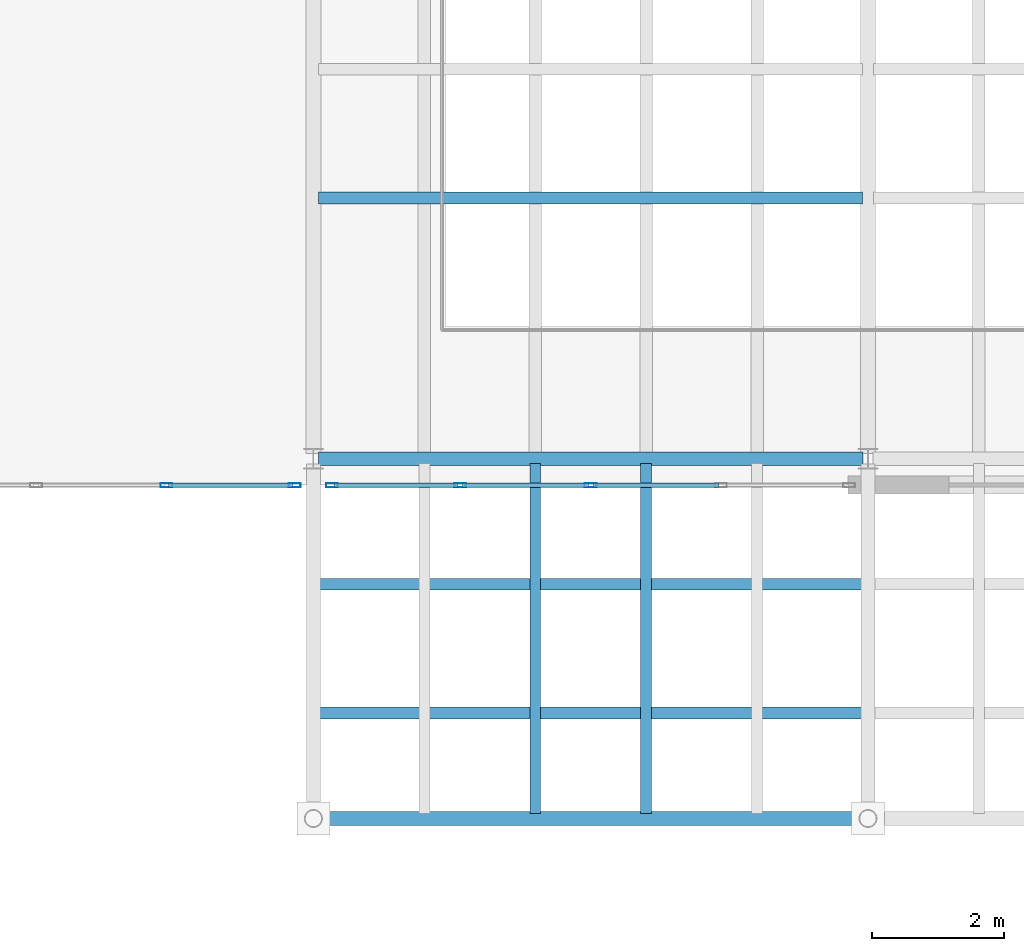
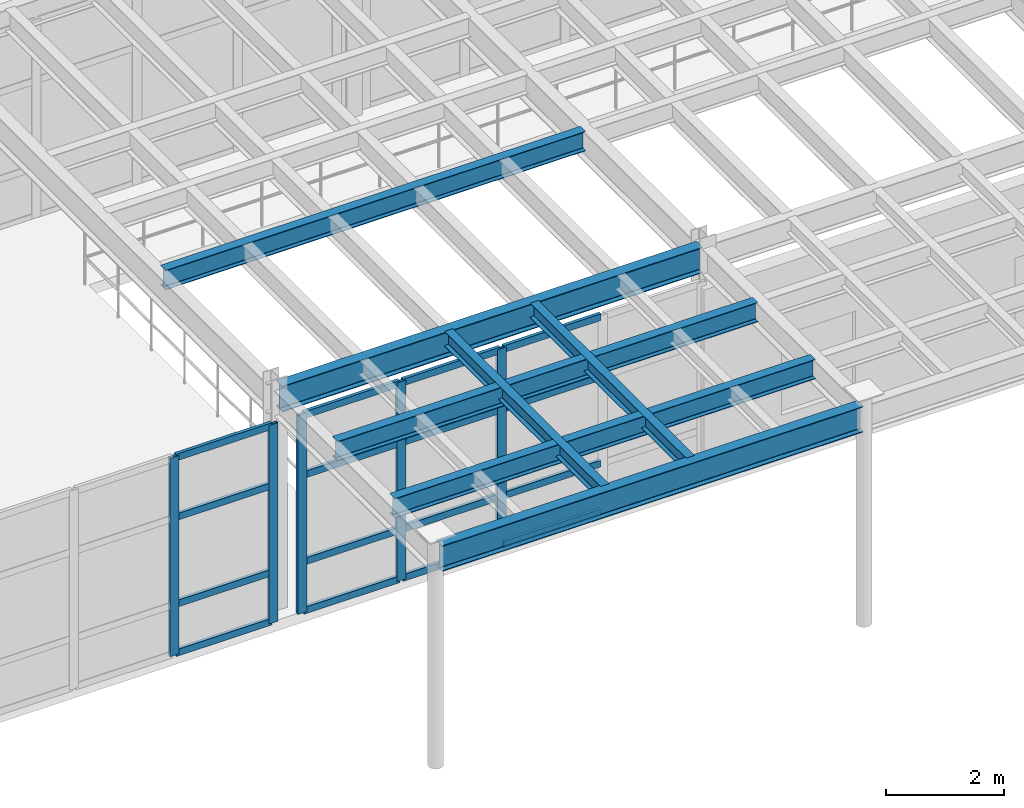
# One storey, part 24 of 105: 21 members, 7 beams, 2 elements without a shape of their own.
"""IFC4 building model written with IfcOpenShell, lengths in metres."""

from ifc_helpers import new_model, si_unit, direction, frame, origin, origin_2d, place, context, subcontext, project, spatial, hollow_rectangle, i_section, extrude, material, layer, layer_set, material_profile, profile_set, type_object, element, aggregate, save


model = new_model("IFC4")

# Units and contexts
model_context = context("Model", 3, precision=1e-05, world=origin(), true_north=direction((0.0, 1.0)))
body_context = subcontext(model_context, "Body", "Model", "MODEL_VIEW")
ifc_project = project(units=[si_unit("LENGTHUNIT", "METRE"), si_unit("AREAUNIT", "SQUARE_METRE"), si_unit("VOLUMEUNIT", "CUBIC_METRE"), si_unit("PLANEANGLEUNIT", "RADIAN"), si_unit("MASSUNIT", "GRAM", prefix="KILO")], contexts=[model_context])

# Site, building, storey
site_placement = place(None, origin())
site = spatial("IfcSite", under=ifc_project, at=site_placement, CompositionType="ELEMENT")
building_placement = place(site_placement, origin())
building = spatial("IfcBuilding", under=site, at=building_placement, Name="Selat Folded Stagehouse", CompositionType="ELEMENT")
storey_placement = place(building_placement, frame((0.0, 0.0, 10.199951171875)))
storey = spatial("IfcBuildingStorey", under=building, at=storey_placement, Name="L02", CompositionType="ELEMENT", Elevation=10.199951171875)

# Beams
ifc_material_1 = material(Name="Steel S355", Category="steel")
ifc_material_profile_1 = material_profile(ifc_material_1, i_section(OverallWidth=0.209228515625, OverallDepth=0.533203125, WebThickness=0.010009765625, FlangeThickness=0.015625, FilletRadius=0.0126953125, at=origin_2d()), Name="UKB 533x210x92")
ifc_profile_set_1 = profile_set([ifc_material_profile_1], Name="Steel S355")
beam_type_1 = type_object("IfcBeamType", Name="BM-GIRD-533x210x92", PredefinedType="BEAM", material=ifc_profile_set_1)
beam_1_placement = place(storey_placement, frame((42.068115234375, 0.35009765625, 4.308349609375), z_axis=(1.0, 0.0, 0.0), x_axis=(0.0, 1.0, 0.0)))
element("IfcBeam", 1, at=beam_1_placement, inside=storey, type_object=beam_type_1, Name="L02 primary x-girder 0982", PredefinedType="BEAM", context=body_context, shape_type="SweptSolid", body=[
    extrude(i_section(OverallWidth=0.209228515625, OverallDepth=0.533203125, WebThickness=0.010009765625, FlangeThickness=0.015625, FilletRadius=0.0126953125, at=origin_2d()), origin(), (0.0, 0.0, 1.0), 8.263671875),
])
beam_2_placement = place(storey_placement, frame((42.076904296875, 5.800048828125, 4.308349609375), z_axis=(1.0, 0.0, 0.0), x_axis=(0.0, 1.0, 0.0)))
element("IfcBeam", 2, at=beam_2_placement, inside=storey, type_object=beam_type_1, Name="L02 primary x-girder 0990", PredefinedType="BEAM", context=body_context, shape_type="SweptSolid", body=[
    extrude(i_section(OverallWidth=0.209228515625, OverallDepth=0.533203125, WebThickness=0.010009765625, FlangeThickness=0.015625, FilletRadius=0.0126953125, at=origin_2d()), origin(), (0.0, 0.0, 1.0), 8.24609375),
])

# Curtain wall, members
ifc_material_2 = material(Name="Aluminium 6063-T6", Category="aluminium")
ifc_layer = layer(ifc_material_2, 0.2099609375)
ifc_layer_set = layer_set([ifc_layer], Name="Aluminium 6063-T6")
curtain_wall_type = type_object("IfcCurtainWallType", Name="CW-FYR-SOUTH", PredefinedType="NOTDEFINED", material=ifc_layer_set)
curtain_wall_1_placement = place(storey_placement, origin())
curtain_wall_1 = element("IfcCurtainWall", 3, at=curtain_wall_1_placement, inside=storey, type_object=curtain_wall_type, Name="L02 curtain wall CW-FYR-L02-00", PredefinedType="NOTDEFINED")
ifc_material_profile_2 = material_profile(ifc_material_2, hollow_rectangle(XDim=0.06494140625, YDim=0.179931640625, WallThickness=0.00390625, at=origin_2d()), Name="ALU 180x65x4.0")
ifc_profile_set_2 = profile_set([ifc_material_profile_2], Name="Aluminium 6063-T6")
member_type_1 = type_object("IfcMemberType", Name="CWM-MUL-180x65", PredefinedType="MULLION", material=ifc_profile_set_2)
member_1_placement = place(storey_placement, frame((41.717529296875, 5.39990234375, 0.0), z_axis=(0.0, 0.0, 1.0), x_axis=(0.0, -1.0, 0.0)))
member_1 = element("IfcMember", 4, at=member_1_placement, type_object=member_type_1, Name="CW-04 mullion 1", PredefinedType="MULLION", context=body_context, shape_type="SweptSolid", body=[
    extrude(hollow_rectangle(XDim=0.06494140625, YDim=0.179931640625, WallThickness=0.00390625, at=origin_2d()), origin(), (0.0, 0.0, 1.0), 4.1201171875),
])
member_2_placement = place(storey_placement, frame((39.77490234375, 5.39990234375, 0.0), z_axis=(0.0, 0.0, 1.0), x_axis=(0.0, -1.0, 0.0)))
member_2 = element("IfcMember", 5, at=member_2_placement, type_object=member_type_1, Name="CW-04 mullion 2", PredefinedType="MULLION", context=body_context, shape_type="SweptSolid", body=[
    extrude(hollow_rectangle(XDim=0.06494140625, YDim=0.179931640625, WallThickness=0.00390625, at=origin_2d()), origin(), (0.0, 0.0, 1.0), 4.1201171875),
])

curtain_wall_2_placement = place(storey_placement, origin())
curtain_wall_2 = element("IfcCurtainWall", 6, at=curtain_wall_2_placement, inside=storey, type_object=curtain_wall_type, Name="L02 curtain wall CW-FYR-L02-01", PredefinedType="NOTDEFINED")
member_3_placement = place(storey_placement, frame((46.199951171875, 5.39990234375, 0.0), z_axis=(0.0, 0.0, 1.0), x_axis=(0.0, -1.0, 0.0)))
member_3 = element("IfcMember", 7, at=member_3_placement, type_object=member_type_1, Name="CW-04 mullion 3", PredefinedType="MULLION", context=body_context, shape_type="SweptSolid", body=[
    extrude(hollow_rectangle(XDim=0.06494140625, YDim=0.179931640625, WallThickness=0.00390625, at=origin_2d()), origin(), (0.0, 0.0, 1.0), 4.1201171875),
])
member_4_placement = place(storey_placement, frame((44.22509765625, 5.39990234375, 0.0), z_axis=(0.0, 0.0, 1.0), x_axis=(0.0, -1.0, 0.0)))
member_4 = element("IfcMember", 8, at=member_4_placement, type_object=member_type_1, Name="CW-04 mullion 4", PredefinedType="MULLION", context=body_context, shape_type="SweptSolid", body=[
    extrude(hollow_rectangle(XDim=0.06494140625, YDim=0.179931640625, WallThickness=0.00390625, at=origin_2d()), origin(), (0.0, 0.0, 1.0), 4.1201171875),
])
member_5_placement = place(storey_placement, frame((42.282470703125, 5.39990234375, 0.0), z_axis=(0.0, 0.0, 1.0), x_axis=(0.0, -1.0, 0.0)))
member_5 = element("IfcMember", 9, at=member_5_placement, type_object=member_type_1, Name="CW-04 mullion 5", PredefinedType="MULLION", context=body_context, shape_type="SweptSolid", body=[
    extrude(hollow_rectangle(XDim=0.06494140625, YDim=0.179931640625, WallThickness=0.00390625, at=origin_2d()), origin(), (0.0, 0.0, 1.0), 4.1201171875),
])

# Member
ifc_material_profile_3 = material_profile(ifc_material_2, hollow_rectangle(XDim=0.06494140625, YDim=0.139892578125, WallThickness=0.00390625, at=origin_2d()), Name="ALU 140x65x4.0")
ifc_profile_set_3 = profile_set([ifc_material_profile_3], Name="Aluminium 6063-T6")
member_type_2 = type_object("IfcMemberType", Name="CWM-TRN-140x65", PredefinedType="USERDEFINED", material=ifc_profile_set_3)
member_6_placement = place(storey_placement, frame((41.68505859375, 5.39990234375, 0.032470703125), z_axis=(-1.0, 0.0, 0.0), x_axis=(0.0, -1.0, 0.0)))
member_6 = element("IfcMember", 10, at=member_6_placement, type_object=member_type_2, Name="CW-04 transom 1.1", ObjectType="TRANSOM", PredefinedType="USERDEFINED", context=body_context, shape_type="SweptSolid", body=[
    extrude(hollow_rectangle(XDim=0.06494140625, YDim=0.139892578125, WallThickness=0.00390625, at=origin_2d()), origin(), (0.0, 0.0, 1.0), 1.87744140625),
])

member_7_placement = place(storey_placement, frame((41.68505859375, 5.39990234375, 1.050048828125), z_axis=(-1.0, 0.0, 0.0), x_axis=(0.0, -1.0, 0.0)))
member_7 = element("IfcMember", 11, at=member_7_placement, type_object=member_type_2, Name="CW-04 transom 1.2", ObjectType="TRANSOM", PredefinedType="USERDEFINED", context=body_context, shape_type="SweptSolid", body=[
    extrude(hollow_rectangle(XDim=0.06494140625, YDim=0.139892578125, WallThickness=0.00390625, at=origin_2d()), origin(), (0.0, 0.0, 1.0), 1.87744140625),
])

member_8_placement = place(storey_placement, frame((41.68505859375, 5.39990234375, 2.85009765625), z_axis=(-1.0, 0.0, 0.0), x_axis=(0.0, -1.0, 0.0)))
member_8 = element("IfcMember", 12, at=member_8_placement, type_object=member_type_2, Name="CW-04 transom 1.3", ObjectType="TRANSOM", PredefinedType="USERDEFINED", context=body_context, shape_type="SweptSolid", body=[
    extrude(hollow_rectangle(XDim=0.06494140625, YDim=0.139892578125, WallThickness=0.00390625, at=origin_2d()), origin(), (0.0, 0.0, 1.0), 1.87744140625),
])

member_9_placement = place(storey_placement, frame((41.68505859375, 5.39990234375, 4.087646484375), z_axis=(-1.0, 0.0, 0.0), x_axis=(0.0, -1.0, 0.0)))
member_9 = element("IfcMember", 13, at=member_9_placement, type_object=member_type_2, Name="CW-04 transom 1.4", ObjectType="TRANSOM", PredefinedType="USERDEFINED", context=body_context, shape_type="SweptSolid", body=[
    extrude(hollow_rectangle(XDim=0.06494140625, YDim=0.139892578125, WallThickness=0.00390625, at=origin_2d()), origin(), (0.0, 0.0, 1.0), 1.87744140625),
])

aggregate(curtain_wall_1, [member_1, member_2, member_6, member_7, member_8, member_9])

member_10_placement = place(storey_placement, frame((48.142578125, 5.39990234375, 0.032470703125), z_axis=(-1.0, 0.0, 0.0), x_axis=(0.0, -1.0, 0.0)))
member_10 = element("IfcMember", 14, at=member_10_placement, type_object=member_type_2, Name="CW-04 transom 2.1", ObjectType="TRANSOM", PredefinedType="USERDEFINED", context=body_context, shape_type="SweptSolid", body=[
    extrude(hollow_rectangle(XDim=0.06494140625, YDim=0.139892578125, WallThickness=0.00390625, at=origin_2d()), origin(), (0.0, 0.0, 1.0), 1.91015625),
])

member_11_placement = place(storey_placement, frame((48.142578125, 5.39990234375, 1.050048828125), z_axis=(-1.0, 0.0, 0.0), x_axis=(0.0, -1.0, 0.0)))
member_11 = element("IfcMember", 15, at=member_11_placement, type_object=member_type_2, Name="CW-04 transom 2.2", ObjectType="TRANSOM", PredefinedType="USERDEFINED", context=body_context, shape_type="SweptSolid", body=[
    extrude(hollow_rectangle(XDim=0.06494140625, YDim=0.139892578125, WallThickness=0.00390625, at=origin_2d()), origin(), (0.0, 0.0, 1.0), 1.91015625),
])

member_12_placement = place(storey_placement, frame((48.142578125, 5.39990234375, 2.85009765625), z_axis=(-1.0, 0.0, 0.0), x_axis=(0.0, -1.0, 0.0)))
member_12 = element("IfcMember", 16, at=member_12_placement, type_object=member_type_2, Name="CW-04 transom 2.3", ObjectType="TRANSOM", PredefinedType="USERDEFINED", context=body_context, shape_type="SweptSolid", body=[
    extrude(hollow_rectangle(XDim=0.06494140625, YDim=0.139892578125, WallThickness=0.00390625, at=origin_2d()), origin(), (0.0, 0.0, 1.0), 1.91015625),
])

member_13_placement = place(storey_placement, frame((48.142578125, 5.39990234375, 4.087646484375), z_axis=(-1.0, 0.0, 0.0), x_axis=(0.0, -1.0, 0.0)))
member_13 = element("IfcMember", 17, at=member_13_placement, type_object=member_type_2, Name="CW-04 transom 2.4", ObjectType="TRANSOM", PredefinedType="USERDEFINED", context=body_context, shape_type="SweptSolid", body=[
    extrude(hollow_rectangle(XDim=0.06494140625, YDim=0.139892578125, WallThickness=0.00390625, at=origin_2d()), origin(), (0.0, 0.0, 1.0), 1.91015625),
])

member_14_placement = place(storey_placement, frame((46.16748046875, 5.39990234375, 0.032470703125), z_axis=(-1.0, 0.0, 0.0), x_axis=(0.0, -1.0, 0.0)))
member_14 = element("IfcMember", 18, at=member_14_placement, type_object=member_type_2, Name="CW-04 transom 3.1", ObjectType="TRANSOM", PredefinedType="USERDEFINED", context=body_context, shape_type="SweptSolid", body=[
    extrude(hollow_rectangle(XDim=0.06494140625, YDim=0.139892578125, WallThickness=0.00390625, at=origin_2d()), origin(), (0.0, 0.0, 1.0), 1.909912109375),
])

member_15_placement = place(storey_placement, frame((46.16748046875, 5.39990234375, 1.050048828125), z_axis=(-1.0, 0.0, 0.0), x_axis=(0.0, -1.0, 0.0)))
member_15 = element("IfcMember", 19, at=member_15_placement, type_object=member_type_2, Name="CW-04 transom 3.2", ObjectType="TRANSOM", PredefinedType="USERDEFINED", context=body_context, shape_type="SweptSolid", body=[
    extrude(hollow_rectangle(XDim=0.06494140625, YDim=0.139892578125, WallThickness=0.00390625, at=origin_2d()), origin(), (0.0, 0.0, 1.0), 1.909912109375),
])

member_16_placement = place(storey_placement, frame((46.16748046875, 5.39990234375, 2.85009765625), z_axis=(-1.0, 0.0, 0.0), x_axis=(0.0, -1.0, 0.0)))
member_16 = element("IfcMember", 20, at=member_16_placement, type_object=member_type_2, Name="CW-04 transom 3.3", ObjectType="TRANSOM", PredefinedType="USERDEFINED", context=body_context, shape_type="SweptSolid", body=[
    extrude(hollow_rectangle(XDim=0.06494140625, YDim=0.139892578125, WallThickness=0.00390625, at=origin_2d()), origin(), (0.0, 0.0, 1.0), 1.909912109375),
])

member_17_placement = place(storey_placement, frame((46.16748046875, 5.39990234375, 4.087646484375), z_axis=(-1.0, 0.0, 0.0), x_axis=(0.0, -1.0, 0.0)))
member_17 = element("IfcMember", 21, at=member_17_placement, type_object=member_type_2, Name="CW-04 transom 3.4", ObjectType="TRANSOM", PredefinedType="USERDEFINED", context=body_context, shape_type="SweptSolid", body=[
    extrude(hollow_rectangle(XDim=0.06494140625, YDim=0.139892578125, WallThickness=0.00390625, at=origin_2d()), origin(), (0.0, 0.0, 1.0), 1.909912109375),
])

member_18_placement = place(storey_placement, frame((44.1923828125, 5.39990234375, 0.032470703125), z_axis=(-1.0, 0.0, 0.0), x_axis=(0.0, -1.0, 0.0)))
member_18 = element("IfcMember", 22, at=member_18_placement, type_object=member_type_2, Name="CW-04 transom 4.1", ObjectType="TRANSOM", PredefinedType="USERDEFINED", context=body_context, shape_type="SweptSolid", body=[
    extrude(hollow_rectangle(XDim=0.06494140625, YDim=0.139892578125, WallThickness=0.00390625, at=origin_2d()), origin(), (0.0, 0.0, 1.0), 1.87744140625),
])

member_19_placement = place(storey_placement, frame((44.1923828125, 5.39990234375, 1.050048828125), z_axis=(-1.0, 0.0, 0.0), x_axis=(0.0, -1.0, 0.0)))
member_19 = element("IfcMember", 23, at=member_19_placement, type_object=member_type_2, Name="CW-04 transom 4.2", ObjectType="TRANSOM", PredefinedType="USERDEFINED", context=body_context, shape_type="SweptSolid", body=[
    extrude(hollow_rectangle(XDim=0.06494140625, YDim=0.139892578125, WallThickness=0.00390625, at=origin_2d()), origin(), (0.0, 0.0, 1.0), 1.87744140625),
])

member_20_placement = place(storey_placement, frame((44.1923828125, 5.39990234375, 2.85009765625), z_axis=(-1.0, 0.0, 0.0), x_axis=(0.0, -1.0, 0.0)))
member_20 = element("IfcMember", 24, at=member_20_placement, type_object=member_type_2, Name="CW-04 transom 4.3", ObjectType="TRANSOM", PredefinedType="USERDEFINED", context=body_context, shape_type="SweptSolid", body=[
    extrude(hollow_rectangle(XDim=0.06494140625, YDim=0.139892578125, WallThickness=0.00390625, at=origin_2d()), origin(), (0.0, 0.0, 1.0), 1.87744140625),
])

member_21_placement = place(storey_placement, frame((44.1923828125, 5.39990234375, 4.087646484375), z_axis=(-1.0, 0.0, 0.0), x_axis=(0.0, -1.0, 0.0)))
member_21 = element("IfcMember", 25, at=member_21_placement, type_object=member_type_2, Name="CW-04 transom 4.4", ObjectType="TRANSOM", PredefinedType="USERDEFINED", context=body_context, shape_type="SweptSolid", body=[
    extrude(hollow_rectangle(XDim=0.06494140625, YDim=0.139892578125, WallThickness=0.00390625, at=origin_2d()), origin(), (0.0, 0.0, 1.0), 1.87744140625),
])

aggregate(curtain_wall_2, [member_3, member_4, member_5, member_10, member_11, member_12, member_13, member_14, member_15, member_16, member_17, member_18, member_19, member_20, member_21])

# Beams
ifc_material_profile_4 = material_profile(ifc_material_1, i_section(OverallWidth=0.1650390625, OverallDepth=0.303466796875, WebThickness=0.006103515625, FlangeThickness=0.01025390625, FilletRadius=0.0087890625, at=origin_2d()), Name="UKB 305x165x40")
ifc_profile_set_4 = profile_set([ifc_material_profile_4], Name="Steel S355")
beam_type_2 = type_object("IfcBeamType", Name="JST-305x165x40", PredefinedType="JOIST", material=ifc_profile_set_4)
for number, where, z_axis, x_axis, name in (
    (26, (45.360107421875, 0.42333984375, 4.42333984375), (0.0, 1.0, 0.0), (-1.0, 0.0, 0.0), "L02 secondary floor joist 1115"),
    (27, (47.0400390625, 0.42333984375, 4.42333984375), (0.0, 1.0, 0.0), (-1.0, 0.0, 0.0), "L02 secondary floor joist 1118"),
):
    element("IfcBeam", number, at=place(storey_placement, frame(where, z_axis=z_axis, x_axis=x_axis)), inside=storey, type_object=beam_type_2, Name=name, PredefinedType="JOIST", context=body_context, shape_type="SweptSolid", body=[
        extrude(i_section(OverallWidth=0.1650390625, OverallDepth=0.303466796875, WebThickness=0.006103515625, FlangeThickness=0.01025390625, FilletRadius=0.0087890625, at=origin_2d()), origin(), (0.0, 0.0, 1.0), 5.303466796875),
    ])
ifc_material_profile_5 = material_profile(ifc_material_1, i_section(OverallWidth=0.177978515625, OverallDepth=0.406494140625, WebThickness=0.0078125, FlangeThickness=0.0126953125, FilletRadius=0.01025390625, at=origin_2d()), Name="UKB 406x178x60")
ifc_profile_set_5 = profile_set([ifc_material_profile_5], Name="Steel S355")
beam_type_3 = type_object("IfcBeamType", Name="JST-406x178x60", PredefinedType="JOIST", material=ifc_profile_set_5)
for number, where, z_axis, x_axis, name in (
    (28, (42.07373046875, 1.949951171875, 4.371826171875), (1.0, 0.0, 0.0), (0.0, 1.0, 0.0), "L02 secondary x-joist 1199"),
    (29, (42.07373046875, 3.89990234375, 4.371826171875), (1.0, 0.0, 0.0), (0.0, 1.0, 0.0), "L02 secondary x-joist 1208"),
):
    element("IfcBeam", number, at=place(storey_placement, frame(where, z_axis=z_axis, x_axis=x_axis)), inside=storey, type_object=beam_type_3, Name=name, PredefinedType="JOIST", context=body_context, shape_type="SweptSolid", body=[
        extrude(i_section(OverallWidth=0.177978515625, OverallDepth=0.406494140625, WebThickness=0.0078125, FlangeThickness=0.0126953125, FilletRadius=0.01025390625, at=origin_2d()), origin(), (0.0, 0.0, 1.0), 8.25244140625),
    ])
beam_3_placement = place(storey_placement, frame((42.08056640625, 9.75, 4.371826171875), z_axis=(1.0, 0.0, 0.0), x_axis=(0.0, 1.0, 0.0)))
element("IfcBeam", 30, at=beam_3_placement, inside=storey, type_object=beam_type_3, Name="L02 secondary x-joist 1218", PredefinedType="JOIST", context=body_context, shape_type="SweptSolid", body=[
    extrude(i_section(OverallWidth=0.177978515625, OverallDepth=0.406494140625, WebThickness=0.0078125, FlangeThickness=0.0126953125, FilletRadius=0.01025390625, at=origin_2d()), origin(), (0.0, 0.0, 1.0), 8.23876953125),
])

save(model, "model.ifc")
